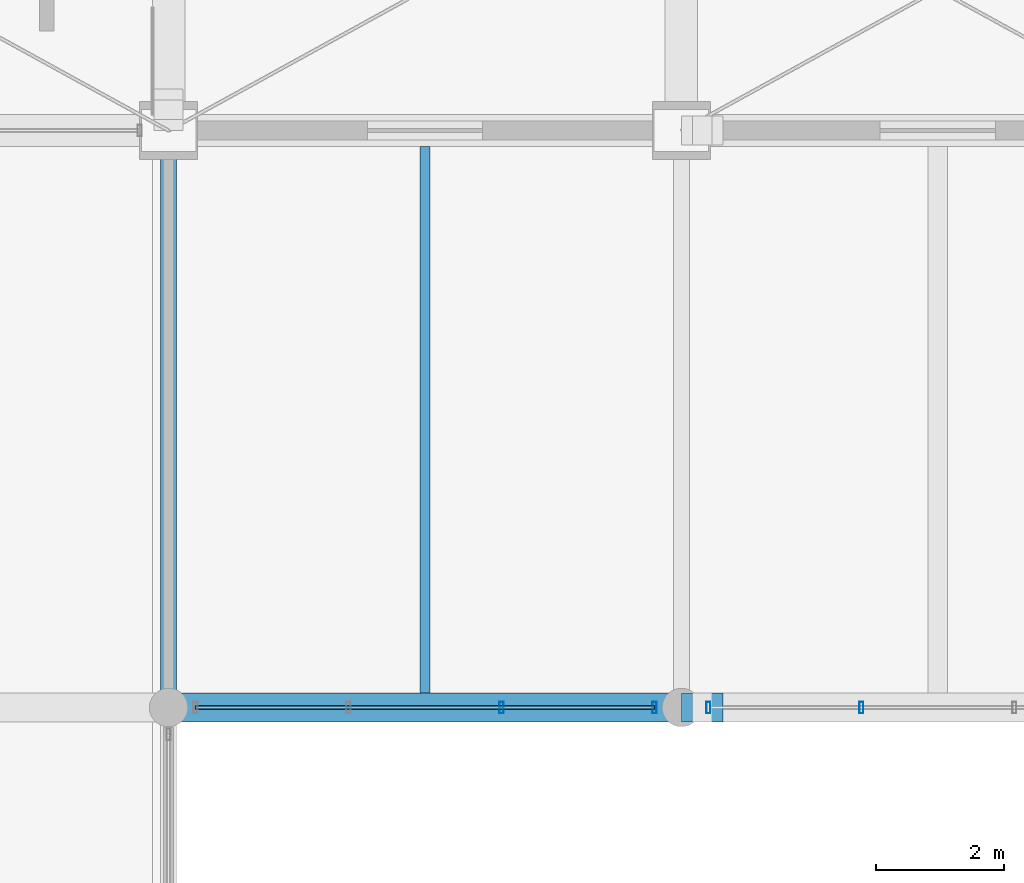
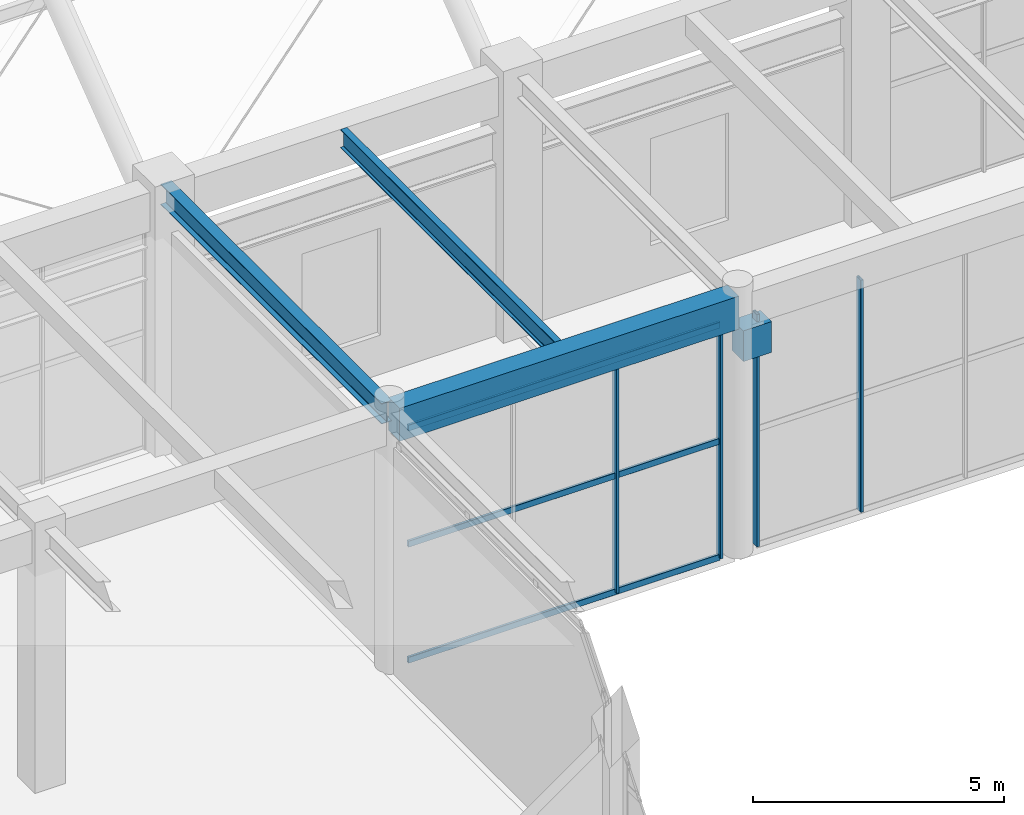
# One storey, part 36 of 163: 7 members, 4 beams, 2 elements without a shape of their own.
"""IFC4 building model written with IfcOpenShell, lengths in metres."""

from ifc_helpers import new_model, si_unit, direction, frame, origin, origin_2d, place, context, subcontext, project, spatial, rectangle, hollow_rectangle, i_section, extrude, material, material_profile, profile_set, type_object, element, aggregate, save


model = new_model("IFC4")

# Units and contexts
model_context = context("Model", 3, precision=1e-05, world=origin(), true_north=direction((0.0, 1.0)))
body_context = subcontext(model_context, "Body", "Model", "MODEL_VIEW")
ifc_project = project(units=[si_unit("LENGTHUNIT", "METRE"), si_unit("AREAUNIT", "SQUARE_METRE"), si_unit("VOLUMEUNIT", "CUBIC_METRE"), si_unit("PLANEANGLEUNIT", "RADIAN"), si_unit("MASSUNIT", "GRAM", prefix="KILO")], contexts=[model_context])

# Site, building, storey
site_placement = place(None, origin())
site = spatial("IfcSite", under=ifc_project, at=site_placement, CompositionType="ELEMENT")
building_placement = place(site_placement, origin())
building = spatial("IfcBuilding", under=site, at=building_placement, Name="Varnabhumi Central Station", CompositionType="ELEMENT")
storey_placement = place(building_placement, frame((0.0, 0.0, 9.60009765625)))
storey = spatial("IfcBuildingStorey", under=building, at=storey_placement, Name="L02", CompositionType="ELEMENT", Elevation=9.60009765625)

# Beams
ifc_material_1 = material(Name="Structural steel E350", Category="steel")
ifc_material_profile_1 = material_profile(ifc_material_1, i_section(OverallWidth=0.14990234375, OverallDepth=0.449951171875, WebThickness=0.009521484375, FlangeThickness=0.017333984375, FilletRadius=0.014892578125, at=origin_2d()), Name="Structural steel E350", Category="steel")
ifc_profile_set_1 = profile_set([ifc_material_profile_1], Name="Structural steel E350")
beam_type_1 = type_object("IfcBeamType", Name="BM-JST-ISMB450", PredefinedType="JOIST", material=ifc_profile_set_1)
beam_1_placement = place(storey_placement, frame((116.0, 27.22509765625, 6.125), z_axis=(0.0, 1.0, 0.0), x_axis=(-1.0, 0.0, 0.0)))
element("IfcBeam", 1, at=beam_1_placement, inside=storey, type_object=beam_type_1, Name="Secondary Joist L02-15/16:D-E", PredefinedType="JOIST", context=body_context, shape_type="SweptSolid", body=[
    extrude(i_section(OverallWidth=0.14990234375, OverallDepth=0.449951171875, WebThickness=0.009521484375, FlangeThickness=0.017333984375, FilletRadius=0.014892578125, at=origin_2d()), origin(), (0.0, 0.0, 1.0), 8.52490234375),
])
ifc_material_2 = material(Name="Concrete M40", Category="concrete")
ifc_material_profile_2 = material_profile(ifc_material_2, rectangle(XDim=0.449951171875, YDim=0.75, at=origin_2d()), Name="Concrete M40", Category="concrete")
ifc_profile_set_2 = profile_set([ifc_material_profile_2], Name="Concrete M40")
beam_type_2 = type_object("IfcBeamType", Name="BM-RC-450x750", PredefinedType="BEAM", material=ifc_profile_set_2)
beam_2_placement = place(storey_placement, frame((120.0, 27.0, 5.094970703125), z_axis=(1.0, 0.0, 0.0), x_axis=(0.0, 1.0, 0.0)))
element("IfcBeam", 2, at=beam_2_placement, inside=storey, type_object=beam_type_2, Name="Movement Joint 650mm Corbel Seat L02-D-16", PredefinedType="BEAM", context=body_context, shape_type="SweptSolid", body=[
    extrude(rectangle(XDim=0.449951171875, YDim=0.75, at=origin_2d()), origin(), (0.0, 0.0, 1.0), 0.64990234375),
])
ifc_material_profile_3 = material_profile(ifc_material_2, rectangle(XDim=0.449951171875, YDim=0.800048828125, at=origin_2d()), Name="Concrete M40", Category="concrete")
ifc_profile_set_3 = profile_set([ifc_material_profile_3], Name="Concrete M40")
beam_type_3 = type_object("IfcBeamType", Name="BM-RC-450x800", PredefinedType="BEAM", material=ifc_profile_set_3)
beam_3_placement = place(storey_placement, frame((112.10009765625, 27.0, 5.949951171875), z_axis=(1.0, 0.0, 0.0), x_axis=(0.0, 1.0, 0.0)))
element("IfcBeam", 3, at=beam_3_placement, inside=storey, type_object=beam_type_3, Name="Beam L02-D:15-16", PredefinedType="BEAM", context=body_context, shape_type="SweptSolid", body=[
    extrude(rectangle(XDim=0.449951171875, YDim=0.800048828125, at=origin_2d()), origin(), (0.0, 0.0, 1.0), 7.7998046875),
])
ifc_material_profile_4 = material_profile(ifc_material_1, i_section(OverallWidth=0.25, OverallDepth=0.5, WebThickness=0.010009765625, FlangeThickness=0.0146484375, FilletRadius=0.014892578125, at=origin_2d()), Name="Structural steel E350", Category="steel")
ifc_profile_set_4 = profile_set([ifc_material_profile_4], Name="Structural steel E350")
beam_type_4 = type_object("IfcBeamType", Name="BM-SEC-ISWB500", PredefinedType="BEAM", material=ifc_profile_set_4)
beam_4_placement = place(storey_placement, frame((112.0, 27.10009765625, 6.099853515625), z_axis=(0.0, 1.0, 0.0), x_axis=(-1.0, 0.0, 0.0)))
element("IfcBeam", 4, at=beam_4_placement, inside=storey, type_object=beam_type_4, Name="Beam L02-15:D-E", PredefinedType="BEAM", context=body_context, shape_type="SweptSolid", body=[
    extrude(i_section(OverallWidth=0.25, OverallDepth=0.5, WebThickness=0.010009765625, FlangeThickness=0.0146484375, FilletRadius=0.014892578125, at=origin_2d()), origin(), (0.0, 0.0, 1.0), 8.7998046875),
])

# Curtain wall, members
ifc_material_3 = material(Name="Anodised aluminium 6063-T6", Category="aluminium")
curtain_wall_type = type_object("IfcCurtainWallType", Name="CW-PATIO-LOGGIA-L2", PredefinedType="NOTDEFINED", material=ifc_material_3)
curtain_wall_1_placement = place(storey_placement, origin())
curtain_wall_1 = element("IfcCurtainWall", 5, at=curtain_wall_1_placement, inside=storey, type_object=curtain_wall_type, Name="Curtain Wall CW-SP2N1", PredefinedType="NOTDEFINED")
ifc_material_profile_5 = material_profile(ifc_material_3, hollow_rectangle(XDim=0.06494140625, YDim=0.179931640625, WallThickness=0.00390625, InnerFilletRadius=0.001953125, OuterFilletRadius=0.006103515625, at=origin_2d()), Name="Anodised aluminium 6063-T6", Category="aluminium")
ifc_profile_set_5 = profile_set([ifc_material_profile_5], Name="Anodised aluminium 6063-T6")
member_type_1 = type_object("IfcMemberType", Name="CW-MUL-180", PredefinedType="MULLION", material=ifc_profile_set_5)
member_1_placement = place(storey_placement, frame((117.193359375, 27.0, 0.0), z_axis=(0.0, 0.0, 1.0), x_axis=(1.0, 0.0, 0.0)))
member_1 = element("IfcMember", 6, at=member_1_placement, type_object=member_type_1, Name="Curtain Wall Mullion CW-SP2N1-M3", PredefinedType="MULLION", context=body_context, shape_type="SweptSolid", body=[
    extrude(hollow_rectangle(XDim=0.06494140625, YDim=0.179931640625, WallThickness=0.00390625, InnerFilletRadius=0.001953125, OuterFilletRadius=0.006103515625, at=origin_2d()), origin(), (0.0, 0.0, 1.0), 5.639892578125),
])
member_2_placement = place(storey_placement, frame((119.580078125, 27.0, 0.0), z_axis=(0.0, 0.0, 1.0), x_axis=(1.0, 0.0, 0.0)))
member_2 = element("IfcMember", 7, at=member_2_placement, type_object=member_type_1, Name="Curtain Wall Mullion CW-SP2N1-M4", PredefinedType="MULLION", context=body_context, shape_type="SweptSolid", body=[
    extrude(hollow_rectangle(XDim=0.06494140625, YDim=0.179931640625, WallThickness=0.00390625, InnerFilletRadius=0.001953125, OuterFilletRadius=0.006103515625, at=origin_2d()), origin(), (0.0, 0.0, 1.0), 5.639892578125),
])

curtain_wall_2_placement = place(storey_placement, origin())
curtain_wall_2 = element("IfcCurtainWall", 8, at=curtain_wall_2_placement, inside=storey, type_object=curtain_wall_type, Name="Curtain Wall CW-SP2N2", PredefinedType="NOTDEFINED")
member_3_placement = place(storey_placement, frame((120.419921875, 27.0, 0.0), z_axis=(0.0, 0.0, 1.0), x_axis=(1.0, 0.0, 0.0)))
member_3 = element("IfcMember", 9, at=member_3_placement, type_object=member_type_1, Name="Curtain Wall Mullion CW-SP2N2-M1", PredefinedType="MULLION", context=body_context, shape_type="SweptSolid", body=[
    extrude(hollow_rectangle(XDim=0.06494140625, YDim=0.179931640625, WallThickness=0.00390625, InnerFilletRadius=0.001953125, OuterFilletRadius=0.006103515625, at=origin_2d()), origin(), (0.0, 0.0, 1.0), 5.639892578125),
])
member_4_placement = place(storey_placement, frame((122.806640625, 27.0, 0.0), z_axis=(0.0, 0.0, 1.0), x_axis=(1.0, 0.0, 0.0)))
member_4 = element("IfcMember", 10, at=member_4_placement, type_object=member_type_1, Name="Curtain Wall Mullion CW-SP2N2-M2", PredefinedType="MULLION", context=body_context, shape_type="SweptSolid", body=[
    extrude(hollow_rectangle(XDim=0.06494140625, YDim=0.179931640625, WallThickness=0.00390625, InnerFilletRadius=0.001953125, OuterFilletRadius=0.006103515625, at=origin_2d()), origin(), (0.0, 0.0, 1.0), 5.639892578125),
])
aggregate(curtain_wall_2, [member_3, member_4])

# Member
ifc_material_profile_6 = material_profile(ifc_material_3, hollow_rectangle(XDim=0.06005859375, YDim=0.14990234375, WallThickness=0.00390625, InnerFilletRadius=0.001953125, OuterFilletRadius=0.006103515625, at=origin_2d()), Name="Anodised aluminium 6063-T6", Category="aluminium")
ifc_profile_set_6 = profile_set([ifc_material_profile_6], Name="Anodised aluminium 6063-T6")
member_type_2 = type_object("IfcMemberType", Name="CW-TR-150", PredefinedType="USERDEFINED", material=ifc_profile_set_6)
member_5_placement = place(storey_placement, frame((112.419921875, 27.0, 0.0), z_axis=(1.0, 0.0, 0.0), x_axis=(0.0, 1.0, 0.0)))
member_5 = element("IfcMember", 11, at=member_5_placement, type_object=member_type_2, Name="Curtain Wall Transom CW-SP2N1-T1", ObjectType="TRANSOM", PredefinedType="USERDEFINED", context=body_context, shape_type="SweptSolid", body=[
    extrude(hollow_rectangle(XDim=0.06005859375, YDim=0.14990234375, WallThickness=0.00390625, InnerFilletRadius=0.001953125, OuterFilletRadius=0.006103515625, at=origin_2d()), origin(), (0.0, 0.0, 1.0), 7.16015625),
])

member_6_placement = place(storey_placement, frame((112.419921875, 27.0, 2.81982421875), z_axis=(1.0, 0.0, 0.0), x_axis=(0.0, 1.0, 0.0)))
member_6 = element("IfcMember", 12, at=member_6_placement, type_object=member_type_2, Name="Curtain Wall Transom CW-SP2N1-T2", ObjectType="TRANSOM", PredefinedType="USERDEFINED", context=body_context, shape_type="SweptSolid", body=[
    extrude(hollow_rectangle(XDim=0.06005859375, YDim=0.14990234375, WallThickness=0.00390625, InnerFilletRadius=0.001953125, OuterFilletRadius=0.006103515625, at=origin_2d()), origin(), (0.0, 0.0, 1.0), 7.16015625),
])

member_7_placement = place(storey_placement, frame((112.419921875, 27.0, 5.639892578125), z_axis=(1.0, 0.0, 0.0), x_axis=(0.0, 1.0, 0.0)))
member_7 = element("IfcMember", 13, at=member_7_placement, type_object=member_type_2, Name="Curtain Wall Transom CW-SP2N1-T3", ObjectType="TRANSOM", PredefinedType="USERDEFINED", context=body_context, shape_type="SweptSolid", body=[
    extrude(hollow_rectangle(XDim=0.06005859375, YDim=0.14990234375, WallThickness=0.00390625, InnerFilletRadius=0.001953125, OuterFilletRadius=0.006103515625, at=origin_2d()), origin(), (0.0, 0.0, 1.0), 7.16015625),
])

aggregate(curtain_wall_1, [member_1, member_2, member_5, member_6, member_7])

save(model, "model.ifc")
